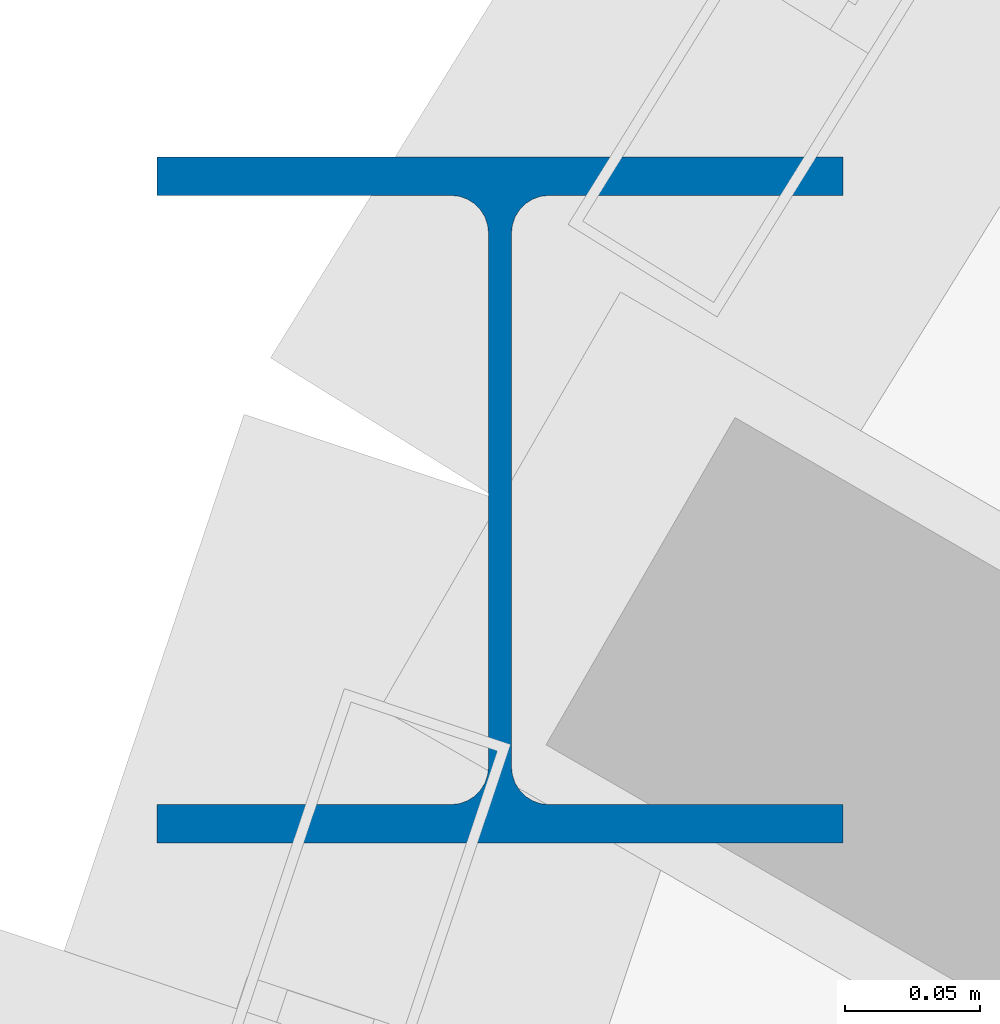
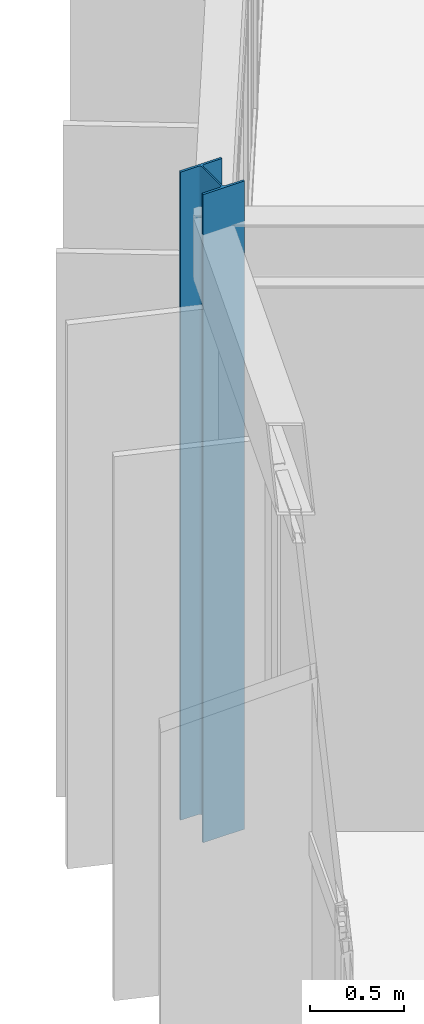
# One storey, part 8 of 106: 1 column.
"""IFC4 building model written with IfcOpenShell, lengths in metres."""

from ifc_helpers import new_model, si_unit, direction, frame, origin, origin_2d, place, context, subcontext, project, spatial, i_section, extrude, material, material_profile, profile_set, type_object, element, save


model = new_model("IFC4")

# Units and contexts
model_context = context("Model", 3, precision=1e-05, world=origin(), true_north=direction((0.0, 1.0)))
body_context = subcontext(model_context, "Body", "Model", "MODEL_VIEW")
ifc_project = project(units=[si_unit("LENGTHUNIT", "METRE"), si_unit("AREAUNIT", "SQUARE_METRE"), si_unit("VOLUMEUNIT", "CUBIC_METRE"), si_unit("PLANEANGLEUNIT", "RADIAN"), si_unit("MASSUNIT", "GRAM", prefix="KILO")], contexts=[model_context])

# Site, building, storey
site_placement = place(None, origin())
site = spatial("IfcSite", under=ifc_project, at=site_placement, CompositionType="ELEMENT")
building_placement = place(site_placement, origin())
building = spatial("IfcBuilding", under=site, at=building_placement, Name="Karori Crest Natural Sciences Institute", CompositionType="ELEMENT")
storey_placement = place(building_placement, frame((0.0, 0.0, 25.89990234375)))
storey = spatial("IfcBuildingStorey", under=building, at=storey_placement, Name="L06", CompositionType="ELEMENT", Elevation=25.89990234375)

# Column
ifc_material = material(Name="Structural steel AS/NZS 3679.1 Grade 350", Category="steel")
ifc_material_profile = material_profile(ifc_material, i_section(OverallWidth=0.25390625, OverallDepth=0.25390625, WebThickness=0.008544921875, FlangeThickness=0.01416015625, FilletRadius=0.013916015625, at=origin_2d()), Name="250UC72.9")
ifc_profile_set = profile_set([ifc_material_profile], Name="Structural steel AS/NZS 3679.1 Grade 350")
column_type = type_object("IfcColumnType", Name="CT-07", PredefinedType="COLUMN", material=ifc_profile_set)
column_placement = place(storey_placement, frame((37.8212890625, 70.300048828125, 0.0), z_axis=(0.0, 0.0, 1.0), x_axis=(1.0, 0.0, 0.0)))
element("IfcColumn", 1, at=column_placement, inside=storey, type_object=column_type, Name="Column C-0187", PredefinedType="COLUMN", context=body_context, shape_type="SweptSolid", body=[
    extrude(i_section(OverallWidth=0.25390625, OverallDepth=0.25390625, WebThickness=0.008544921875, FlangeThickness=0.01416015625, FilletRadius=0.013916015625, at=origin_2d()), origin(), (0.0, 0.0, 1.0), 4.2001953125),
])

save(model, "model.ifc")
